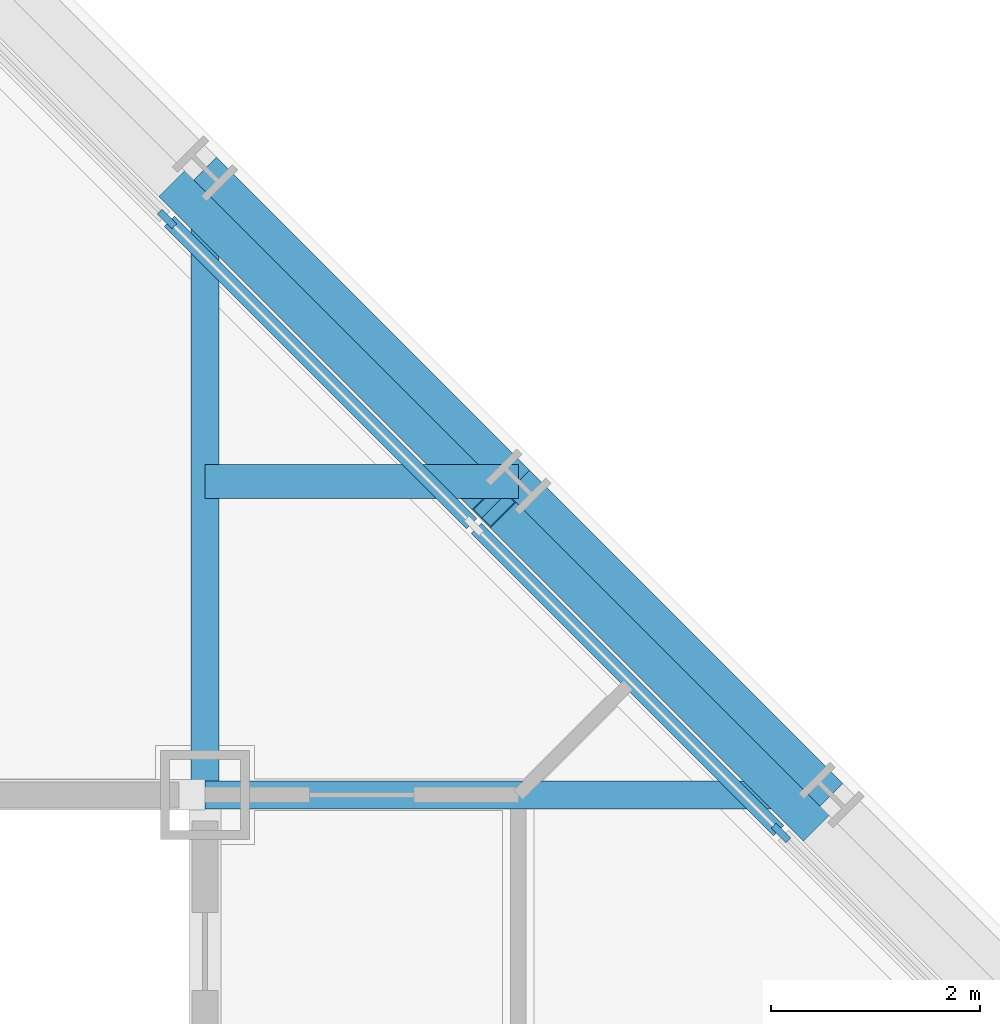
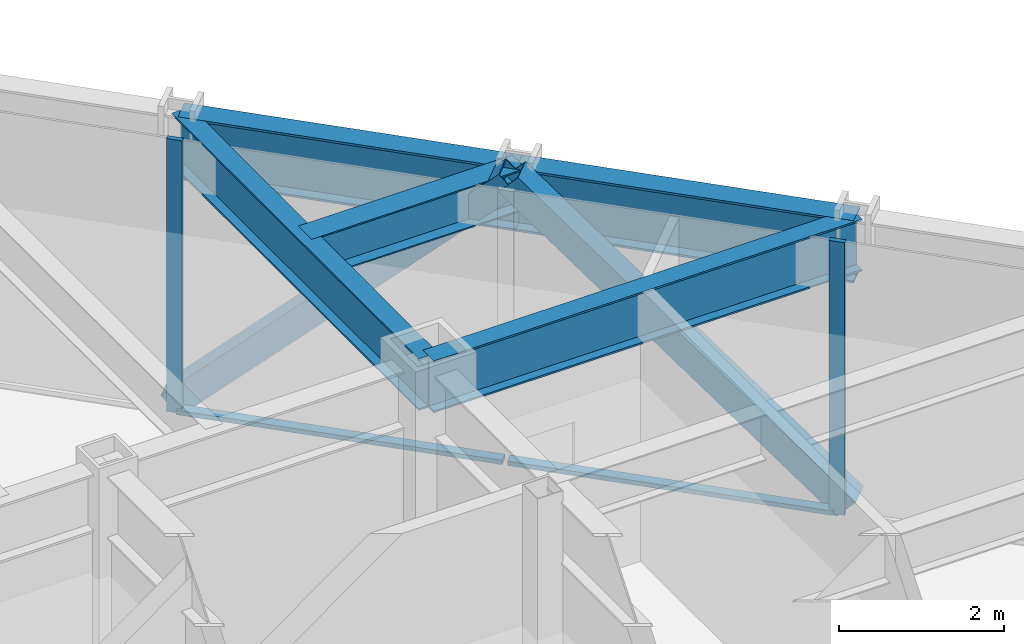
# One storey, part 9 of 16: 6 members, 5 beams, 1 element without a shape of its own.
"""IFC4 building model written with IfcOpenShell, lengths in metres."""

from ifc_helpers import new_model, si_unit, direction, frame, origin, origin_2d, place, context, subcontext, project, spatial, rectangle, hollow_rectangle, i_section, extrude, material, layer, layer_set, material_profile, profile_set, type_object, element, aggregate, save


model = new_model("IFC4")

# Units and contexts
model_context = context("Model", 3, precision=1e-05, world=origin(), true_north=direction((0.0, 1.0)))
body_context = subcontext(model_context, "Body", "Model", "MODEL_VIEW")
ifc_project = project(units=[si_unit("LENGTHUNIT", "METRE"), si_unit("AREAUNIT", "SQUARE_METRE"), si_unit("VOLUMEUNIT", "CUBIC_METRE"), si_unit("PLANEANGLEUNIT", "RADIAN"), si_unit("MASSUNIT", "GRAM", prefix="KILO")], contexts=[model_context])

# Site, building, storey
site_placement = place(None, origin())
site = spatial("IfcSite", under=ifc_project, at=site_placement, CompositionType="ELEMENT")
building_placement = place(site_placement, origin())
building = spatial("IfcBuilding", under=site, at=building_placement, Name="Chuquiago Exchange Tower", CompositionType="ELEMENT")
storey_placement = place(building_placement, frame((0.0, 0.0, 222.300048828125)))
storey = spatial("IfcBuildingStorey", under=building, at=storey_placement, Name="L49", CompositionType="ELEMENT", Elevation=222.300048828125)

# Beam
ifc_material_1 = material(Name="Steel ASTM A992", Category="steel")
ifc_material_profile_1 = material_profile(ifc_material_1, i_section(OverallWidth=0.3251953125, OverallDepth=0.612060546875, WebThickness=0.0126953125, FlangeThickness=0.01904296875, at=origin_2d()), Name="W24X104")
ifc_profile_set_1 = profile_set([ifc_material_profile_1], Name="Steel ASTM A992")
beam_type_1 = type_object("IfcBeamType", Name="B2 W24X104", PredefinedType="BEAM", material=ifc_profile_set_1)
beam_placement = place(storey_placement, frame((33.0, 36.0, 3.73388671875), z_axis=(1.0, 0.0, 0.0), x_axis=(0.0, 1.0, 0.0)))
element("IfcBeam", 1, at=beam_placement, inside=storey, type_object=beam_type_1, Name="FB-L50-corner-33_36-36_36-0", PredefinedType="BEAM", context=body_context, shape_type="SweptSolid", body=[
    extrude(i_section(OverallWidth=0.3251953125, OverallDepth=0.612060546875, WebThickness=0.0126953125, FlangeThickness=0.01904296875, at=origin_2d()), origin(), (0.0, 0.0, 1.0), 3.0),
])

# Curtain wall, members
ifc_material_2 = material(Name="Aluminium curtain wall system", Category="aluminium")
ifc_layer = layer(ifc_material_2, 0.199951171875)
ifc_layer_set = layer_set([ifc_layer], Name="CW3 facet curtain wall")
curtain_wall_type = type_object("IfcCurtainWallType", Name="CW3 facet curtain wall", PredefinedType="NOTDEFINED", material=ifc_layer_set)
curtain_wall_placement = place(storey_placement, origin())
curtain_wall = element("IfcCurtainWall", 2, at=curtain_wall_placement, inside=storey, type_object=curtain_wall_type, Name="CW3 curtain wall L49", PredefinedType="NOTDEFINED")
ifc_material_3 = material(Name="Aluminium mullion, pale anodised", Category="aluminium")
ifc_material_profile_2 = material_profile(ifc_material_3, rectangle(XDim=0.06494140625, YDim=0.199951171875, at=origin_2d()), Name="AL 65x200")
ifc_profile_set_2 = profile_set([ifc_material_profile_2], Name="Aluminium mullion, pale anodised")
member_type_1 = type_object("IfcMemberType", Name="CW3-M mullion 65x200", PredefinedType="MULLION", material=ifc_profile_set_2)
member_1_placement = place(storey_placement, frame((38.51708984375, 32.63427734375, 0.0), z_axis=(0.0, 0.0, 1.0), x_axis=(-0.707106781187, -0.707106781187, 0.0)))
member_1 = element("IfcMember", 3, at=member_1_placement, type_object=member_type_1, Name="CW3 mullion 3", PredefinedType="MULLION", context=body_context, shape_type="SweptSolid", body=[
    extrude(rectangle(XDim=0.06494140625, YDim=0.199951171875, at=origin_2d()), origin(), (0.0, 0.0, 1.0), 4.0400390625),
])
member_2_placement = place(storey_placement, frame((32.63427734375, 38.51708984375, 0.0), z_axis=(0.0, 0.0, 1.0), x_axis=(-0.707106781187, -0.707106781187, 0.0)))
member_2 = element("IfcMember", 4, at=member_2_placement, type_object=member_type_1, Name="CW3 mullion 5", PredefinedType="MULLION", context=body_context, shape_type="SweptSolid", body=[
    extrude(rectangle(XDim=0.06494140625, YDim=0.199951171875, at=origin_2d()), origin(), (0.0, 0.0, 1.0), 4.0400390625),
])
ifc_material_4 = material(Name="Aluminium transom, pale anodised", Category="aluminium")
ifc_material_profile_3 = material_profile(ifc_material_4, rectangle(XDim=0.139892578125, YDim=0.06494140625, at=origin_2d()), Name="AL 140x65")
ifc_profile_set_3 = profile_set([ifc_material_profile_3], Name="Aluminium transom, pale anodised")
member_type_2 = type_object("IfcMemberType", Name="CW3-T transom 65x140", PredefinedType="MULLION", material=ifc_profile_set_3)
member_3_placement = place(storey_placement, frame((38.494140625, 32.6572265625, 0.032470703125), z_axis=(-0.707106781187, 0.707106781187, 0.0), x_axis=(-0.707106781187, -0.707106781187, 0.0)))
member_3 = element("IfcMember", 5, at=member_3_placement, type_object=member_type_2, Name="CW3 transom 3.1", PredefinedType="MULLION", context=body_context, shape_type="SweptSolid", body=[
    extrude(rectangle(XDim=0.139892578125, YDim=0.06494140625, at=origin_2d()), origin(), (0.0, 0.0, 1.0), 4.094970703125),
])
member_4_placement = place(storey_placement, frame((35.552734375, 35.5986328125, 0.032470703125), z_axis=(-0.707106781187, 0.707106781187, 0.0), x_axis=(-0.707106781187, -0.707106781187, 0.0)))
member_4 = element("IfcMember", 6, at=member_4_placement, type_object=member_type_2, Name="CW3 transom 4.1", PredefinedType="MULLION", context=body_context, shape_type="SweptSolid", body=[
    extrude(rectangle(XDim=0.139892578125, YDim=0.06494140625, at=origin_2d()), origin(), (0.0, 0.0, 1.0), 4.094970703125),
])
aggregate(curtain_wall, [member_1, member_2, member_3, member_4])

# Beams
ifc_material_5 = material(Name="Steel ASTM A992", Category="steel")
ifc_material_profile_4 = material_profile(ifc_material_5, i_section(OverallWidth=0.2666015625, OverallDepth=0.76953125, WebThickness=0.015625, FlangeThickness=0.025390625, at=origin_2d()), Name="W30X132")
ifc_profile_set_4 = profile_set([ifc_material_profile_4], Name="Steel ASTM A992")
beam_type_2 = type_object("IfcBeamType", Name="G1 W30X132", PredefinedType="BEAM", material=ifc_profile_set_4)
for number, where, z_axis, x_axis, name in (
    (7, (33.0, 33.0, 3.655029296875), (0.0, 1.0, 0.0), (-1.0, 0.0, 0.0), "FB-L50-girder-33_33-33_39-0"),
    (8, (33.0, 33.0, 3.655029296875), (1.0, 0.0, 0.0), (0.0, 1.0, 0.0), "FB-L50-girder-33_33-39_33-0"),
):
    element("IfcBeam", number, at=place(storey_placement, frame(where, z_axis=z_axis, x_axis=x_axis)), inside=storey, type_object=beam_type_2, Name=name, PredefinedType="BEAM", context=body_context, shape_type="SweptSolid", body=[
        extrude(i_section(OverallWidth=0.2666015625, OverallDepth=0.76953125, WebThickness=0.015625, FlangeThickness=0.025390625, at=origin_2d()), origin(), (0.0, 0.0, 1.0), 6.0),
    ])

# Members
ifc_material_6 = material(Name="Steel ASTM A500 Grade C", Category="steel")
ifc_material_profile_5 = material_profile(ifc_material_6, hollow_rectangle(XDim=0.355712890625, YDim=0.355712890625, WallThickness=0.0146484375, at=origin_2d()), Name="HSS14X14X5/8")
ifc_profile_set_5 = profile_set([ifc_material_profile_5], Name="Steel ASTM A500 Grade C")
member_type_3 = type_object("IfcMemberType", Name="LB2 HSS14X14X5/8", PredefinedType="BRACE", material=ifc_profile_set_5)
for number, where, z_axis, x_axis, name in (
    (9, (38.7685546875, 32.7685546875, 0.0), (-0.512077265487, 0.512077265487, 0.689604051861), (-0.707106781187, -0.707106781187, 0.0), "LB-L49-39_33-36_36"),
    (10, (32.7685546875, 38.7685546875, 0.0), (0.512077265487, -0.512077265487, 0.689604051861), (0.707106781187, 0.707106781187, 0.0), "LB-L49-36_36-33_39"),
):
    element("IfcMember", number, at=place(storey_placement, frame(where, z_axis=z_axis, x_axis=x_axis)), inside=storey, type_object=member_type_3, Name=name, PredefinedType="BRACE", context=body_context, shape_type="SweptSolid", body=[
        extrude(hollow_rectangle(XDim=0.355712890625, YDim=0.355712890625, WallThickness=0.0146484375, at=origin_2d()), origin(), (0.0, 0.0, 1.0), 5.8583984375),
    ])

# Beams
ifc_material_7 = material(Name="Steel ASTM A992", Category="steel")
ifc_material_profile_6 = material_profile(ifc_material_7, i_section(OverallWidth=0.307373046875, OverallDepth=0.927001953125, WebThickness=0.01953125, FlangeThickness=0.031982421875, at=origin_2d()), Name="W36X194")
ifc_profile_set_6 = profile_set([ifc_material_profile_6], Name="Steel ASTM A992")
beam_type_3 = type_object("IfcBeamType", Name="SP3 W36X194", PredefinedType="SPANDREL", material=ifc_profile_set_6)
for number, where, z_axis, x_axis, name in (
    (11, (39.0, 33.0, 3.576416015625), (-0.707106781187, 0.707106781187, 0.0), (-0.707106781187, -0.707106781187, 0.0), "SPB-L50-39_33-36_36"),
    (12, (36.0, 36.0, 3.576416015625), (-0.707106781187, 0.707106781187, 0.0), (-0.707106781187, -0.707106781187, 0.0), "SPB-L50-36_36-33_39"),
):
    element("IfcBeam", number, at=place(storey_placement, frame(where, z_axis=z_axis, x_axis=x_axis)), inside=storey, type_object=beam_type_3, Name=name, PredefinedType="SPANDREL", context=body_context, shape_type="SweptSolid", body=[
        extrude(i_section(OverallWidth=0.307373046875, OverallDepth=0.927001953125, WebThickness=0.01953125, FlangeThickness=0.031982421875, at=origin_2d()), origin(), (0.0, 0.0, 1.0), 4.24267578125),
    ])

save(model, "model.ifc")
